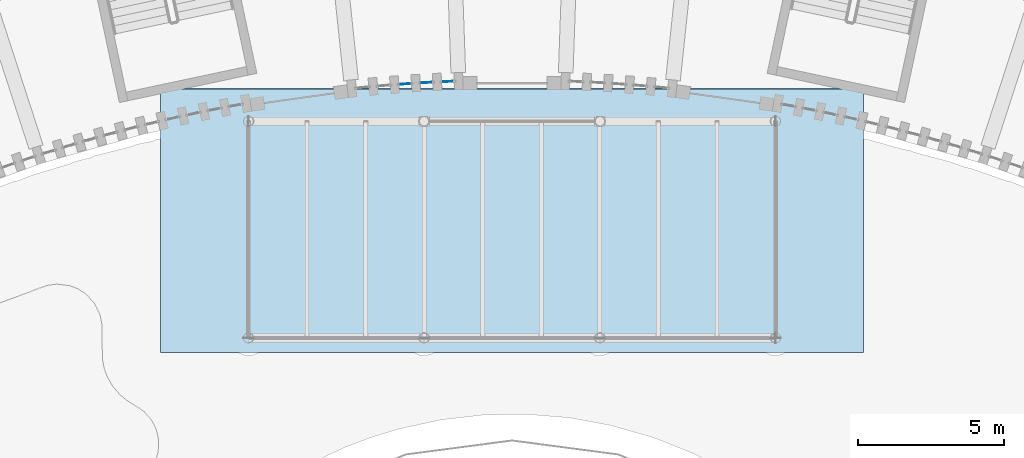
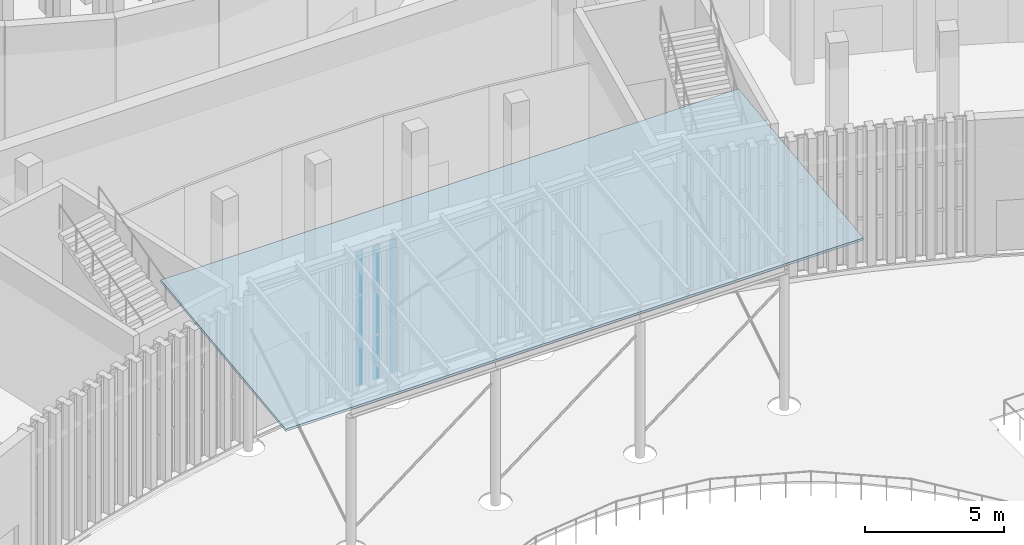
# One storey, part 77 of 155: 9 plates, 1 slab, 3 elements without a shape of their own.
"""IFC4 building model written with IfcOpenShell, lengths in metres."""

from ifc_helpers import new_model, si_unit, direction, frame, origin, origin_2d, place, context, subcontext, project, spatial, polyline, rectangle, outline, extrude, material, layer, layer_set, type_object, element, aggregate, save


model = new_model("IFC4")

# Units and contexts
model_context = context("Model", 3, precision=1e-05, world=origin(), true_north=direction((0.0, 1.0)))
body_context = subcontext(model_context, "Body", "Model", "MODEL_VIEW")
ifc_project = project(units=[si_unit("LENGTHUNIT", "METRE"), si_unit("AREAUNIT", "SQUARE_METRE"), si_unit("VOLUMEUNIT", "CUBIC_METRE"), si_unit("PLANEANGLEUNIT", "RADIAN"), si_unit("MASSUNIT", "GRAM", prefix="KILO")], contexts=[model_context])

# Site, building, storey
site_placement = place(None, origin())
site = spatial("IfcSite", under=ifc_project, at=site_placement, CompositionType="ELEMENT")
building_placement = place(site_placement, origin())
building = spatial("IfcBuilding", under=site, at=building_placement, Name="Lunette Opera House", CompositionType="ELEMENT")
storey_placement = place(building_placement, origin())
storey = spatial("IfcBuildingStorey", under=building, at=storey_placement, Name="L00", CompositionType="ELEMENT", Elevation=0.0)

# Curtain wall, plates
ifc_material_1 = material(Name="Aluminium", Category="aluminium")
ifc_layer_1 = layer(ifc_material_1, 0.1201171875)
ifc_layer_set_1 = layer_set([ifc_layer_1], Name="Aluminium")
curtain_wall_type = type_object("IfcCurtainWallType", Name="SLOT CURTAIN WALL", PredefinedType="NOTDEFINED", material=ifc_layer_set_1)
curtain_wall_1_placement = place(storey_placement, origin())
curtain_wall_1 = element("IfcCurtainWall", 1, at=curtain_wall_1_placement, inside=storey, type_object=curtain_wall_type, Name="Slot Curtain Wall CS038 L00", PredefinedType="NOTDEFINED")
ifc_material_2 = material(Name="Laminated glass", Category="glass")
ifc_layer_2 = layer(ifc_material_2, 0.028076171875)
ifc_layer_set_2 = layer_set([ifc_layer_2], Name="Laminated glass")
plate_type = type_object("IfcPlateType", Name="CURTAIN PANEL LAMINATED GLASS 28", PredefinedType="CURTAIN_PANEL", material=ifc_layer_set_2)
plate_1_placement = place(storey_placement, frame((92.3515625, 52.172119140625, 0.06005859375), z_axis=(0.0, 0.0, 1.0), x_axis=(0.997563824094, 0.069759707987, 0.0)))
plate_1 = element("IfcPlate", 2, at=plate_1_placement, type_object=plate_type, Name="FC-X2075 panel 1.1", PredefinedType="CURTAIN_PANEL", context=body_context, shape_type="SweptSolid", body=[
    extrude(rectangle(XDim=0.31005859375, YDim=0.028076171875, at=origin_2d()), origin(), (0.0, 0.0, 1.0), 1.909912109375),
])
plate_2_placement = place(storey_placement, frame((92.3515625, 52.172119140625, 2.030029296875), z_axis=(0.0, 0.0, 1.0), x_axis=(0.997563824094, 0.069759707987, 0.0)))
plate_2 = element("IfcPlate", 3, at=plate_2_placement, type_object=plate_type, Name="FC-X2075 panel 1.2", PredefinedType="CURTAIN_PANEL", context=body_context, shape_type="SweptSolid", body=[
    extrude(rectangle(XDim=0.31005859375, YDim=0.028076171875, at=origin_2d()), origin(), (0.0, 0.0, 1.0), 1.93994140625),
])
plate_3_placement = place(storey_placement, frame((92.3515625, 52.172119140625, 4.0302734375), z_axis=(0.0, 0.0, 1.0), x_axis=(0.997563824094, 0.069759707987, 0.0)))
plate_3 = element("IfcPlate", 4, at=plate_3_placement, type_object=plate_type, Name="FC-X2075 panel 1.3", PredefinedType="CURTAIN_PANEL", context=body_context, shape_type="SweptSolid", body=[
    extrude(rectangle(XDim=0.31005859375, YDim=0.028076171875, at=origin_2d()), origin(), (0.0, 0.0, 1.0), 1.909912109375),
])
aggregate(curtain_wall_1, [plate_1, plate_2, plate_3])

curtain_wall_2_placement = place(storey_placement, origin())
curtain_wall_2 = element("IfcCurtainWall", 5, at=curtain_wall_2_placement, inside=storey, type_object=curtain_wall_type, Name="Slot Curtain Wall CS039 L00", PredefinedType="NOTDEFINED")
plate_4_placement = place(storey_placement, frame((93.08056640625, 52.218017578125, 0.06005859375), z_axis=(0.0, 0.0, 1.0), x_axis=(0.99843879497, 0.055856715797, 0.0)))
plate_4 = element("IfcPlate", 6, at=plate_4_placement, type_object=plate_type, Name="FC-X2077 panel 1.1", PredefinedType="CURTAIN_PANEL", context=body_context, shape_type="SweptSolid", body=[
    extrude(rectangle(XDim=0.3095703125, YDim=0.028076171875, at=origin_2d()), origin(), (0.0, 0.0, 1.0), 1.909912109375),
])
plate_5_placement = place(storey_placement, frame((93.08056640625, 52.218017578125, 2.030029296875), z_axis=(0.0, 0.0, 1.0), x_axis=(0.99843879497, 0.055856715797, 0.0)))
plate_5 = element("IfcPlate", 7, at=plate_5_placement, type_object=plate_type, Name="FC-X2077 panel 1.2", PredefinedType="CURTAIN_PANEL", context=body_context, shape_type="SweptSolid", body=[
    extrude(rectangle(XDim=0.3095703125, YDim=0.028076171875, at=origin_2d()), origin(), (0.0, 0.0, 1.0), 1.93994140625),
])
plate_6_placement = place(storey_placement, frame((93.08056640625, 52.218017578125, 4.0302734375), z_axis=(0.0, 0.0, 1.0), x_axis=(0.99843879497, 0.055856715797, 0.0)))
plate_6 = element("IfcPlate", 8, at=plate_6_placement, type_object=plate_type, Name="FC-X2077 panel 1.3", PredefinedType="CURTAIN_PANEL", context=body_context, shape_type="SweptSolid", body=[
    extrude(rectangle(XDim=0.3095703125, YDim=0.028076171875, at=origin_2d()), origin(), (0.0, 0.0, 1.0), 1.909912109375),
])
aggregate(curtain_wall_2, [plate_4, plate_5, plate_6])

curtain_wall_3_placement = place(storey_placement, origin())
curtain_wall_3 = element("IfcCurtainWall", 9, at=curtain_wall_3_placement, inside=storey, type_object=curtain_wall_type, Name="Slot Curtain Wall CS040 L00", PredefinedType="NOTDEFINED")
plate_7_placement = place(storey_placement, frame((93.81005859375, 52.25390625, 0.06005859375), z_axis=(0.0, 0.0, 1.0), x_axis=(0.999125000508, 0.04182383723, 0.0)))
plate_7 = element("IfcPlate", 10, at=plate_7_placement, type_object=plate_type, Name="FC-X2079 panel 1.1", PredefinedType="CURTAIN_PANEL", context=body_context, shape_type="SweptSolid", body=[
    extrude(rectangle(XDim=0.310302734375, YDim=0.028076171875, at=origin_2d()), origin(), (0.0, 0.0, 1.0), 1.909912109375),
])
plate_8_placement = place(storey_placement, frame((93.81005859375, 52.25390625, 2.030029296875), z_axis=(0.0, 0.0, 1.0), x_axis=(0.999125000508, 0.04182383723, 0.0)))
plate_8 = element("IfcPlate", 11, at=plate_8_placement, type_object=plate_type, Name="FC-X2079 panel 1.2", PredefinedType="CURTAIN_PANEL", context=body_context, shape_type="SweptSolid", body=[
    extrude(rectangle(XDim=0.310302734375, YDim=0.028076171875, at=origin_2d()), origin(), (0.0, 0.0, 1.0), 1.93994140625),
])
plate_9_placement = place(storey_placement, frame((93.81005859375, 52.25390625, 4.0302734375), z_axis=(0.0, 0.0, 1.0), x_axis=(0.999125000508, 0.04182383723, 0.0)))
plate_9 = element("IfcPlate", 12, at=plate_9_placement, type_object=plate_type, Name="FC-X2079 panel 1.3", PredefinedType="CURTAIN_PANEL", context=body_context, shape_type="SweptSolid", body=[
    extrude(rectangle(XDim=0.310302734375, YDim=0.028076171875, at=origin_2d()), origin(), (0.0, 0.0, 1.0), 1.909912109375),
])
aggregate(curtain_wall_3, [plate_7, plate_8, plate_9])

# Slab
ifc_material_3 = material(Name="Concrete C35/45", Category="concrete")
ifc_layer_3 = layer(ifc_material_3, 0.1201171875)
ifc_layer_set_3 = layer_set([ifc_layer_3], Name="Concrete C35/45")
slab_type = type_object("IfcSlabType", Name="ROOF DECK 120", PredefinedType="ROOF", material=ifc_layer_set_3)
slab_placement = place(storey_placement, frame((84.0, 43.0, 6.6201171875), z_axis=(0.0, -0.121303511887, 0.992615463311), x_axis=(1.0, 0.0, 0.0)))
element("IfcSlab", 13, at=slab_placement, inside=storey, type_object=slab_type, Name="slab-EC-L00-DECK", PredefinedType="ROOF", context=body_context, shape_type="SweptSolid", body=[
    extrude(outline(polyline([(0.0, 0.0), (24.0, 0.0), (24.0, 9.066955263804529), (0.0, 9.066955263804529), (0.0, 0.0)])), origin(), (0.0, 0.0, -1.0), 0.1201171875),
])

save(model, "model.ifc")
